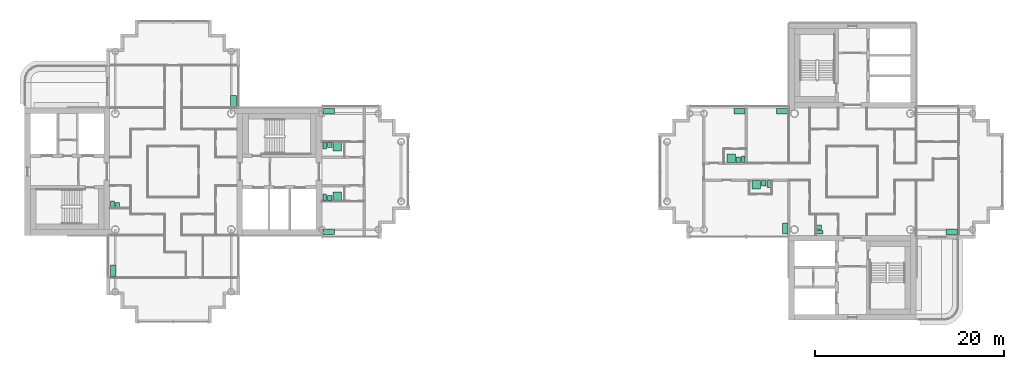
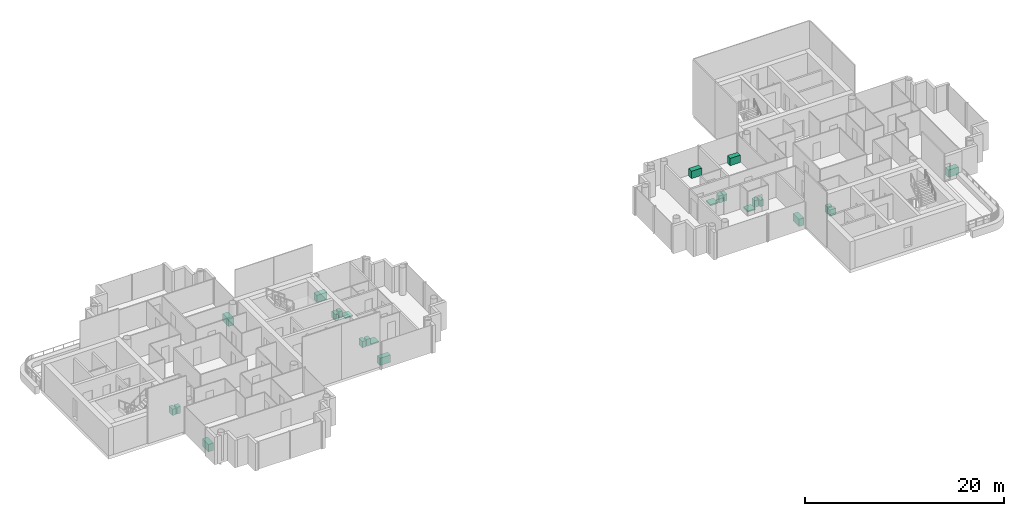
# One storey, part 18 of 18: 24 sanitary terminals.
"""IFC4 building model written with IfcOpenShell, lengths in metres."""

from ifc_helpers import new_model, si_unit, direction, frame, origin, origin_2d, place, context, subcontext, project, spatial, rectangle, extrude, material, type_object, element, save


model = new_model("IFC4")

# Units and contexts
model_context = context("Model", 3, precision=1e-05, world=origin(), true_north=direction((0.0, 1.0)))
body_context = subcontext(model_context, "Body", "Model", "MODEL_VIEW")
ifc_project = project(units=[si_unit("LENGTHUNIT", "METRE"), si_unit("AREAUNIT", "SQUARE_METRE"), si_unit("VOLUMEUNIT", "CUBIC_METRE"), si_unit("PLANEANGLEUNIT", "RADIAN"), si_unit("MASSUNIT", "GRAM", prefix="KILO")], contexts=[model_context])

# Site, building, storey
site_placement = place(None, origin())
site = spatial("IfcSite", under=ifc_project, at=site_placement, CompositionType="ELEMENT")
building_placement = place(site_placement, origin())
building = spatial("IfcBuilding", under=site, at=building_placement, Name="Ipe Terrace Towers", CompositionType="ELEMENT")
storey_placement = place(building_placement, frame((0.0, 0.0, 213.0)))
storey = spatial("IfcBuildingStorey", under=building, at=storey_placement, Name="L59", CompositionType="ELEMENT", Elevation=213.0)

# Sanitary terminals
ifc_material_1 = material(Name="Stainless sink unit", Category="metal")
sanitary_terminal_type_1 = type_object("IfcSanitaryTerminalType", Name="Kitchen sink unit", PredefinedType="SINK", material=ifc_material_1)
for number, where, z_axis, x_axis, name in (
    (1, (-29.6201171875, 7.469970703125, 0.0), (0.0, 0.0, 1.0), (0.0, -1.0, 0.0), "Kitchen sink unit"),
    (2, (-42.3798828125, -10.530029296875, 0.0), (0.0, 0.0, 1.0), (0.0, 1.0, 0.0), "Kitchen sink unit"),
    (3, (-19.530029296875, 6.3798828125, 0.0), (0.0, 0.0, 1.0), (1.0, 0.0, 0.0), "Kitchen sink unit"),
    (4, (-19.530029296875, -6.3798828125, 0.0), (0.0, 0.0, 1.0), (-1.0, 0.0, 0.0), "Kitchen sink unit"),
    (5, (28.8798828125, -6.030029296875, 0.0), (0.0, 0.0, 1.0), (0.0, -1.0, 0.0), "Kitchen sink unit"),
    (6, (28.530029296875, 6.3798828125, 0.0), (0.0, 0.0, 1.0), (1.0, 0.0, 0.0), "Kitchen sink unit"),
    (7, (24.030029296875, 6.3798828125, 0.0), (0.0, 0.0, 1.0), (1.0, 0.0, 0.0), "Kitchen sink unit"),
    (8, (46.530029296875, -6.3798828125, 0.0), (0.0, 0.0, 1.0), (-1.0, 0.0, 0.0), "Kitchen sink unit"),
):
    element("IfcSanitaryTerminal", number, at=place(storey_placement, frame(where, z_axis=z_axis, x_axis=x_axis)), inside=storey, type_object=sanitary_terminal_type_1, Name=name, PredefinedType="SINK", context=body_context, shape_type="SweptSolid", body=[
        extrude(rectangle(XDim=1.199951171875, YDim=0.60009765625, at=origin_2d()), origin(), (0.0, 0.0, 1.0), 0.89990234375),
    ])
ifc_material_2 = material(Name="Acrylic", Category="plastic")
sanitary_terminal_type_2 = type_object("IfcSanitaryTerminalType", Name="Shower tray", PredefinedType="SHOWER", material=ifc_material_2)
for number, where, z_axis, x_axis, name in (
    (9, (-18.6298828125, 2.6298828125, 0.0), (0.0, 0.0, 1.0), (0.0, -1.0, 0.0), "Shower tray"),
    (10, (-18.6298828125, -2.6298828125, 0.0), (0.0, 0.0, 1.0), (0.0, 1.0, 0.0), "Shower tray"),
    (11, (25.830078125, -1.419921875, 0.0), (0.0, 0.0, 1.0), (0.0, -1.0, 0.0), "Shower tray"),
    (12, (23.1298828125, 1.419921875, 0.0), (0.0, 0.0, 1.0), (0.0, 1.0, 0.0), "Shower tray"),
):
    element("IfcSanitaryTerminal", number, at=place(storey_placement, frame(where, z_axis=z_axis, x_axis=x_axis)), inside=storey, type_object=sanitary_terminal_type_2, Name=name, PredefinedType="SHOWER", context=body_context, shape_type="SweptSolid", body=[
        extrude(rectangle(XDim=0.89990234375, YDim=0.89990234375, at=origin_2d()), origin(), (0.0, 0.0, 1.0), 0.14990234375),
    ])
ifc_material_3 = material(Name="Vitreous china", Category="ceramic")
sanitary_terminal_type_3 = type_object("IfcSanitaryTerminalType", Name="Wash basin", PredefinedType="WASHHANDBASIN", material=ifc_material_3)
for number, where, z_axis, x_axis, name in (
    (13, (-41.905029296875, -3.554931640625, 0.0), (0.0, 0.0, 1.0), (0.0, 1.0, 0.0), "Wash basin"),
    (14, (-19.405029296875, 2.804931640625, 0.0), (0.0, 0.0, 1.0), (0.0, -1.0, 0.0), "Wash basin"),
    (15, (-19.405029296875, -2.804931640625, 0.0), (0.0, 0.0, 1.0), (0.0, 1.0, 0.0), "Wash basin"),
    (16, (32.445068359375, -5.905029296875, 0.0), (0.0, 0.0, 1.0), (1.0, 0.0, 0.0), "Wash basin"),
    (17, (26.60498046875, -1.2451171875, 0.0), (0.0, 0.0, 1.0), (0.0, -1.0, 0.0), "Wash basin"),
    (18, (23.905029296875, 1.2451171875, 0.0), (0.0, 0.0, 1.0), (0.0, 1.0, 0.0), "Wash basin"),
):
    element("IfcSanitaryTerminal", number, at=place(storey_placement, frame(where, z_axis=z_axis, x_axis=x_axis)), inside=storey, type_object=sanitary_terminal_type_3, Name=name, PredefinedType="WASHHANDBASIN", context=body_context, shape_type="SweptSolid", body=[
        extrude(rectangle(XDim=0.550048828125, YDim=0.449951171875, at=origin_2d()), origin(), (0.0, 0.0, 1.0), 0.85009765625),
    ])
ifc_material_4 = material(Name="Vitreous china", Category="ceramic")
sanitary_terminal_type_4 = type_object("IfcSanitaryTerminalType", Name="Water closet", PredefinedType="TOILETPAN", material=ifc_material_4)
for number, where, z_axis, x_axis, name in (
    (19, (-42.429931640625, -3.47998046875, 0.0), (0.0, 0.0, 1.0), (0.0, 1.0, 0.0), "Water closet"),
    (20, (-19.929931640625, 2.72998046875, 0.0), (0.0, 0.0, 1.0), (0.0, -1.0, 0.0), "Water closet"),
    (21, (-19.929931640625, -2.72998046875, 0.0), (0.0, 0.0, 1.0), (0.0, 1.0, 0.0), "Water closet"),
    (22, (32.52001953125, -6.429931640625, 0.0), (0.0, 0.0, 1.0), (1.0, 0.0, 0.0), "Water closet"),
    (23, (27.1298828125, -1.320068359375, 0.0), (0.0, 0.0, 1.0), (0.0, -1.0, 0.0), "Water closet"),
    (24, (24.429931640625, 1.320068359375, 0.0), (0.0, 0.0, 1.0), (0.0, 1.0, 0.0), "Water closet"),
):
    element("IfcSanitaryTerminal", number, at=place(storey_placement, frame(where, z_axis=z_axis, x_axis=x_axis)), inside=storey, type_object=sanitary_terminal_type_4, Name=name, PredefinedType="TOILETPAN", context=body_context, shape_type="SweptSolid", body=[
        extrude(rectangle(XDim=0.699951171875, YDim=0.39990234375, at=origin_2d()), origin(), (0.0, 0.0, 1.0), 0.780029296875),
    ])

save(model, "model.ifc")
